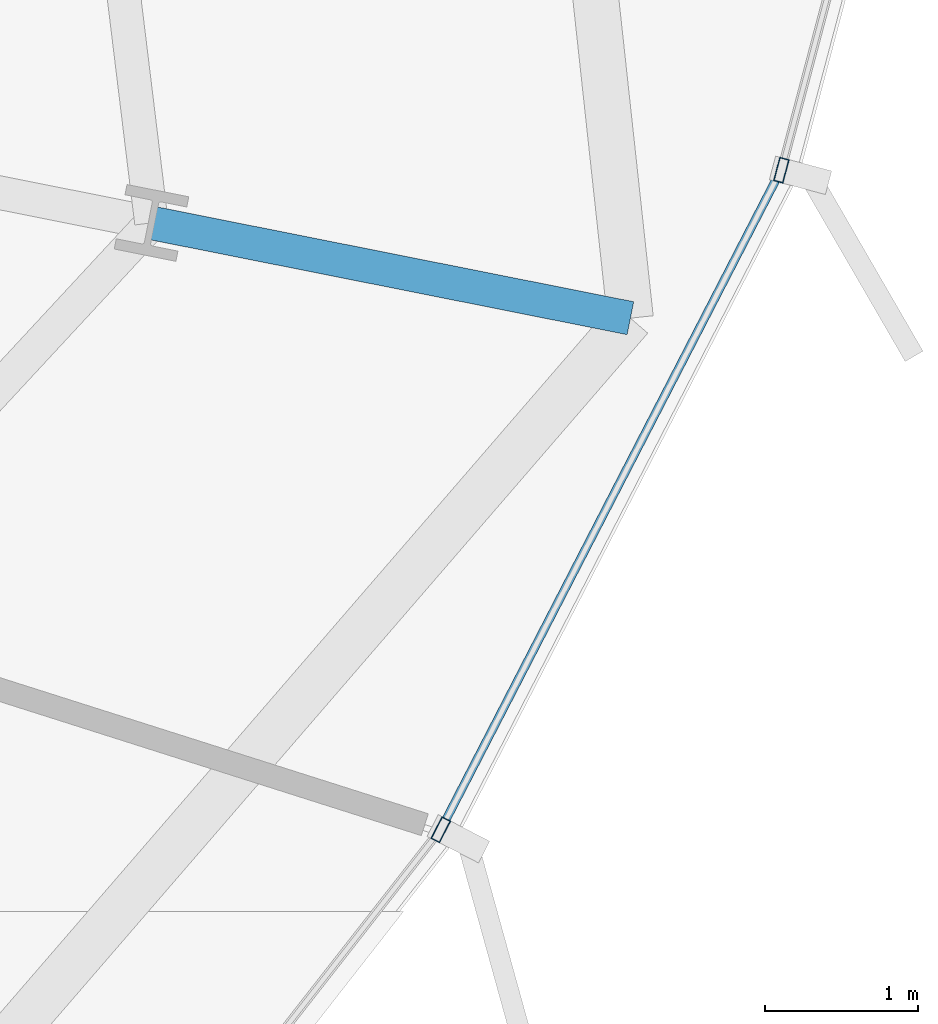
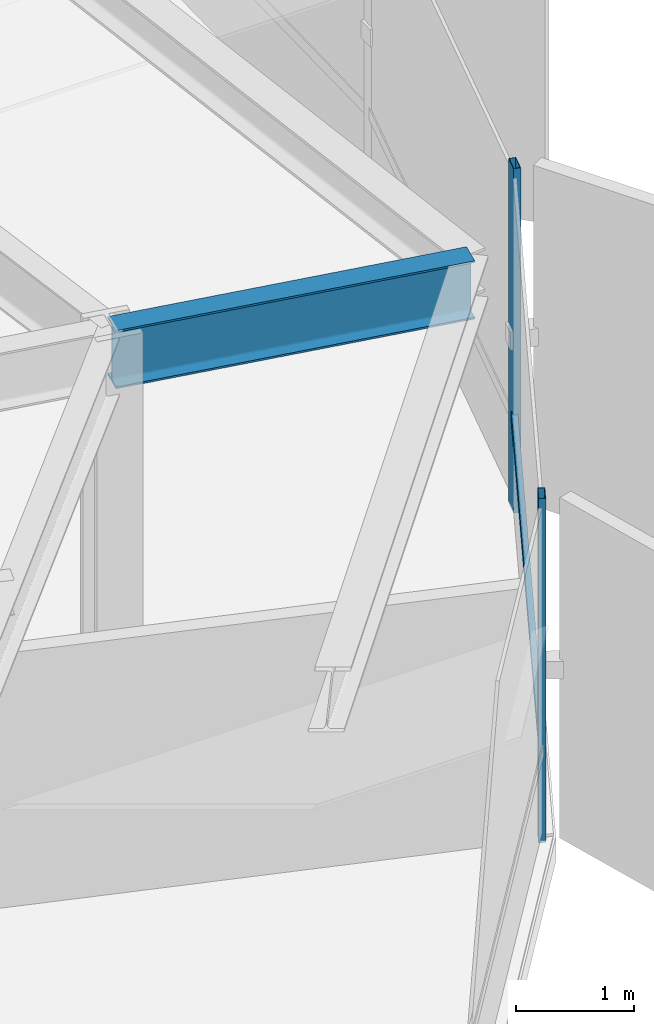
# One storey, part 16 of 37: 3 members, 1 beam, 1 element without a shape of its own.
"""IFC4 building model written with IfcOpenShell, lengths in metres."""

from ifc_helpers import new_model, si_unit, direction, frame, origin, origin_2d, place, context, subcontext, project, spatial, hollow_rectangle, i_section, extrude, source, transform, mapped, material, layer, layer_set, material_profile, profile_set, type_object, element, aggregate, save


model = new_model("IFC4")

# Units and contexts
model_context = context("Model", 3, precision=1e-05, world=origin(), true_north=direction((0.0, 1.0)))
body_context = subcontext(model_context, "Body", "Model", "MODEL_VIEW")
ifc_project = project(units=[si_unit("LENGTHUNIT", "METRE"), si_unit("AREAUNIT", "SQUARE_METRE"), si_unit("VOLUMEUNIT", "CUBIC_METRE"), si_unit("PLANEANGLEUNIT", "RADIAN"), si_unit("MASSUNIT", "GRAM", prefix="KILO"), si_unit("THERMODYNAMICTEMPERATUREUNIT", "KELVIN")], contexts=[model_context])

# Site, building, storey
site_placement = place(None, origin())
site = spatial("IfcSite", under=ifc_project, at=site_placement, CompositionType="ELEMENT")
building_placement = place(site_placement, origin())
building = spatial("IfcBuilding", under=site, at=building_placement, Name="Kethvar Cultural Tower", CompositionType="ELEMENT")
storey_placement = place(building_placement, frame((0.0, 0.0, 56.199951171875)))
storey = spatial("IfcBuildingStorey", under=building, at=storey_placement, Name="L13", CompositionType="ELEMENT", Elevation=56.199951171875)

# Beam
ifc_material_1 = material(Name="Steel S355J2", Category="steel")
ifc_material_profile_1 = material_profile(ifc_material_1, i_section(OverallWidth=0.219970703125, OverallDepth=0.60009765625, WebThickness=0.011962890625, FlangeThickness=0.01904296875, FilletRadius=0.02392578125, at=origin_2d()), Name="Steel S355J2 — IPE600")
ifc_profile_set_1 = profile_set([ifc_material_profile_1], Name="Steel S355J2 — IPE600")
beam_type = type_object("IfcBeamType", Name="BM-IPE600", PredefinedType="BEAM", material=ifc_profile_set_1)
shared_shape_1 = source(origin(), body_context, "Body", "SweptSolid", [
    extrude(i_section(OverallWidth=0.219970703125, OverallDepth=0.60009765625, WebThickness=0.011962890625, FlangeThickness=0.01904296875, FilletRadius=0.02392578125, at=origin_2d()), origin(), (0.0, 0.0, 1.0), 3.199951171875),
])
beam_placement = place(storey_placement, frame((74.9912109375, 22.1923828125, 3.248046875), z_axis=(0.980785550224, -0.195088965533, 0.0), x_axis=(0.195088965533, 0.980785550224, 0.0)))
element("IfcBeam", 1, at=beam_placement, inside=storey, type_object=beam_type, Name="L13 Perimeter Cantilever Beam RC-16", PredefinedType="BEAM", context=body_context, shape_type="MappedRepresentation", body=[
    mapped(shared_shape_1, transform((0.0, 0.0, 0.0), scale=1.0)),
])

# Curtain wall, members
ifc_material_2 = material(Name="Aluminium 6063-T6", Category="aluminium")
ifc_layer = layer(ifc_material_2, 0.179931640625, Name="Aluminium 6063-T6", Category="aluminium")
ifc_layer_set = layer_set([ifc_layer], Name="Aluminium 6063-T6 (180 mm)")
curtain_wall_type = type_object("IfcCurtainWallType", Name="CW-SYS-02-Z1", PredefinedType="NOTDEFINED", material=ifc_layer_set)
curtain_wall_placement = place(storey_placement, origin())
curtain_wall = element("IfcCurtainWall", 2, at=curtain_wall_placement, inside=storey, type_object=curtain_wall_type, Name="L13 Curtain Wall Run 07", PredefinedType="NOTDEFINED")
ifc_material_profile_2 = material_profile(ifc_material_2, hollow_rectangle(XDim=0.06494140625, YDim=0.159912109375, WallThickness=0.0048828125, at=origin_2d()), Name="Aluminium 6063-T6 — RHS160x65x5")
ifc_profile_set_2 = profile_set([ifc_material_profile_2], Name="Aluminium 6063-T6 — RHS160x65x5")
member_type_1 = type_object("IfcMemberType", Name="CW-SYS-02-Z1-MUL", PredefinedType="MULLION", material=ifc_profile_set_2)
shared_shape_2 = source(origin(), body_context, "Body", "SweptSolid", [
    extrude(hollow_rectangle(XDim=0.06494140625, YDim=0.159912109375, WallThickness=0.0048828125, at=origin_2d()), origin(), (0.0, 0.0, 1.0), 3.550048828125),
])
member_1_placement = place(storey_placement, frame((76.886962890625, 18.2158203125, 0.0), z_axis=(0.0, 0.0, 1.0), x_axis=(-0.888785276806, 0.458323828458, 0.0)))
member_1 = element("IfcMember", 3, at=member_1_placement, type_object=member_type_1, Name="CW-L13-R07 Mullion 2", PredefinedType="MULLION", context=body_context, shape_type="MappedRepresentation", body=[
    mapped(shared_shape_2, transform((0.0, 0.0, 0.0), scale=1.0)),
])
member_2_placement = place(storey_placement, frame((79.118896484375, 22.537841796875, 0.0), z_axis=(0.0, 0.0, 1.0), x_axis=(-0.966586681412, 0.256339983845, 0.0)))
member_2 = element("IfcMember", 4, at=member_2_placement, type_object=member_type_1, Name="CW-L13-R07 Mullion 3", PredefinedType="MULLION", context=body_context, shape_type="MappedRepresentation", body=[
    mapped(shared_shape_2, transform((0.0, 0.0, 0.0), scale=1.0)),
])
ifc_material_profile_3 = material_profile(ifc_material_2, hollow_rectangle(XDim=0.054931640625, YDim=0.1201171875, WallThickness=0.00390625, at=origin_2d()), Name="Aluminium 6063-T6 — RHS120x55x4")
ifc_profile_set_3 = profile_set([ifc_material_profile_3], Name="Aluminium 6063-T6 — RHS120x55x4")
member_type_2 = type_object("IfcMemberType", Name="CW-SYS-02-Z1-TRN", PredefinedType="USERDEFINED", material=ifc_profile_set_3)
shared_shape_3 = source(origin(), body_context, "Body", "SweptSolid", [
    extrude(hollow_rectangle(XDim=0.054931640625, YDim=0.1201171875, WallThickness=0.00390625, at=origin_2d()), origin(), (0.0, 0.0, 1.0), 4.796630859375),
])
member_3_placement = place(storey_placement, frame((76.908447265625, 18.25732421875, 0.949951171875), z_axis=(0.45829541581, 0.888799927907, 0.0), x_axis=(-0.888799927907, 0.45829541581, 0.0)))
member_3 = element("IfcMember", 5, at=member_3_placement, type_object=member_type_2, Name="CW-L13-R07 Transom 2", ObjectType="TRANSOM", PredefinedType="USERDEFINED", context=body_context, shape_type="MappedRepresentation", body=[
    mapped(shared_shape_3, transform((0.0, 0.0, 0.0), scale=1.0)),
])
aggregate(curtain_wall, [member_1, member_2, member_3])

save(model, "model.ifc")
